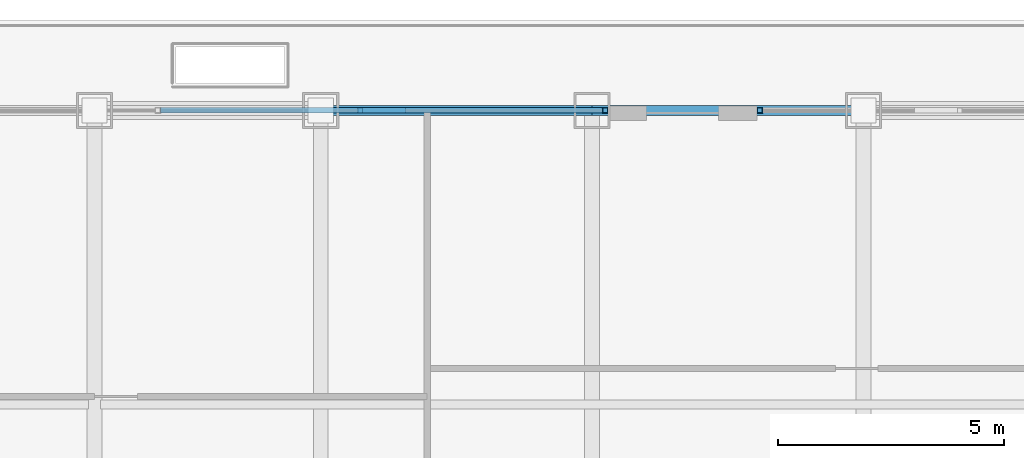
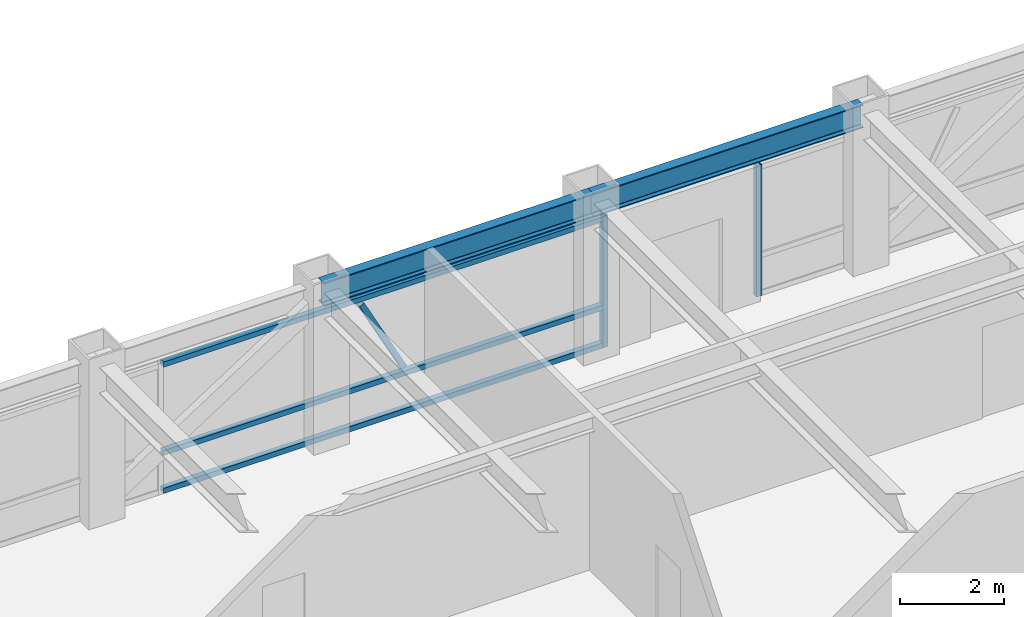
# One storey, part 18 of 30: 6 members, 2 beams, 2 elements without a shape of their own.
"""IFC4 building model written with IfcOpenShell, lengths in metres."""

from ifc_helpers import new_model, si_unit, direction, frame, origin, origin_2d, place, context, subcontext, project, spatial, hollow_rectangle, i_section, extrude, source, transform, mapped, material, material_profile, profile_set, type_object, element, aggregate, save


model = new_model("IFC4")

# Units and contexts
model_context = context("Model", 3, precision=1e-05, world=origin(), true_north=direction((0.0, 1.0)))
body_context = subcontext(model_context, "Body", "Model", "MODEL_VIEW")
ifc_project = project(units=[si_unit("LENGTHUNIT", "METRE"), si_unit("AREAUNIT", "SQUARE_METRE"), si_unit("VOLUMEUNIT", "CUBIC_METRE"), si_unit("PLANEANGLEUNIT", "RADIAN"), si_unit("MASSUNIT", "GRAM", prefix="KILO")], contexts=[model_context])

# Site, building, storey
site_placement = place(None, origin())
site = spatial("IfcSite", under=ifc_project, at=site_placement, CompositionType="ELEMENT")
building_placement = place(site_placement, origin())
building = spatial("IfcBuilding", under=site, at=building_placement, Name="Khorayat Bourse Tower", CompositionType="ELEMENT")
storey_placement = place(building_placement, frame((0.0, 0.0, 326.300048828125)))
storey = spatial("IfcBuildingStorey", under=building, at=storey_placement, Name="L77", CompositionType="ELEMENT", Elevation=326.300048828125)

# Beams
ifc_material_1 = material(Name="Steel ASTM A992 Grade 50", Category="steel")
ifc_material_profile_1 = material_profile(ifc_material_1, i_section(OverallWidth=0.214111328125, OverallDepth=0.549072265625, WebThickness=0.0146484375, FlangeThickness=0.023681640625, FilletRadius=0.013916015625, at=origin_2d()), Name="W530X138")
ifc_profile_set_1 = profile_set([ifc_material_profile_1], Name="Steel ASTM A992 Grade 50")
beam_type = type_object("IfcBeamType", Name="BM-SPAN-530", PredefinedType="SPANDREL", material=ifc_profile_set_1)
shared_shape_1 = source(origin(), body_context, "Body", "SweptSolid", [
    extrude(i_section(OverallWidth=0.214111328125, OverallDepth=0.549072265625, WebThickness=0.0146484375, FlangeThickness=0.023681640625, FilletRadius=0.013916015625, at=origin_2d()), origin(), (0.0, 0.0, 1.0), 6.0),
])
for number, where, z_axis, x_axis, name in (
    (1, (0.0, 26.0, 3.46533203125), (1.0, 0.0, 0.0), (0.0, 1.0, 0.0), "L77 BM-SPAN-530 BM-L77-SPN-042"),
    (2, (-6.0, 26.0, 3.46533203125), (1.0, 0.0, 0.0), (0.0, 1.0, 0.0), "L77 BM-SPAN-530 BM-L77-SPN-043"),
):
    element("IfcBeam", number, at=place(storey_placement, frame(where, z_axis=z_axis, x_axis=x_axis)), inside=storey, type_object=beam_type, Name=name, PredefinedType="SPANDREL", context=body_context, shape_type="MappedRepresentation", body=[
        mapped(shared_shape_1, transform((0.0, 0.0, 0.0), scale=1.0)),
    ])

# Curtain wall, member
ifc_material_2 = material(Name="Aluminium EN AW-6063 T6", Category="aluminium")
curtain_wall_type = type_object("IfcCurtainWallType", Name="CW-SYS-04", PredefinedType="NOTDEFINED", material=ifc_material_2)
curtain_wall_1_placement = place(storey_placement, origin())
curtain_wall_1 = element("IfcCurtainWall", 3, at=curtain_wall_1_placement, inside=storey, type_object=curtain_wall_type, Name="L77 Curtain Wall CW-L77-N1", PredefinedType="NOTDEFINED")
ifc_material_profile_2 = material_profile(ifc_material_2, hollow_rectangle(XDim=0.1201171875, YDim=0.1201171875, WallThickness=0.0048828125, at=origin_2d()), Name="ALU 120x120x5")
ifc_profile_set_2 = profile_set([ifc_material_profile_2], Name="Aluminium EN AW-6063 T6")
member_type_1 = type_object("IfcMemberType", Name="CWM-VERT-120", PredefinedType="MULLION", material=ifc_profile_set_2)
shared_shape_2 = source(origin(), body_context, "Body", "SweptSolid", [
    extrude(hollow_rectangle(XDim=0.1201171875, YDim=0.1201171875, WallThickness=0.0048828125, at=origin_2d()), origin(), (0.0, 0.0, 1.0), 3.08984375),
])
member_1_placement = place(storey_placement, frame((0.2900390625, 26.0, 0.0), z_axis=(0.0, 0.0, 1.0), x_axis=(0.0, 1.0, 0.0)))
member_1 = element("IfcMember", 4, at=member_1_placement, type_object=member_type_1, Name="CW-L77-N1 Vertical Mullion 3", PredefinedType="MULLION", context=body_context, shape_type="MappedRepresentation", body=[
    mapped(shared_shape_2, transform((0.0, 0.0, 0.0), scale=1.0)),
])

curtain_wall_2_placement = place(storey_placement, origin())
curtain_wall_2 = element("IfcCurtainWall", 5, at=curtain_wall_2_placement, inside=storey, type_object=curtain_wall_type, Name="L77 Curtain Wall CW-L77-N2", PredefinedType="NOTDEFINED")
member_2_placement = place(storey_placement, frame((3.7099609375, 26.0, 0.0), z_axis=(0.0, 0.0, 1.0), x_axis=(0.0, 1.0, 0.0)))
member_2 = element("IfcMember", 6, at=member_2_placement, type_object=member_type_1, Name="CW-L77-N2 Vertical Mullion 1", PredefinedType="MULLION", context=body_context, shape_type="MappedRepresentation", body=[
    mapped(shared_shape_2, transform((0.0, 0.0, 0.0), scale=1.0)),
])
aggregate(curtain_wall_2, [member_2])

# Member
ifc_material_profile_3 = material_profile(ifc_material_2, hollow_rectangle(XDim=0.1201171875, YDim=0.1201171875, WallThickness=0.0048828125, at=origin_2d()), Name="ALU 120x120x5")
ifc_profile_set_3 = profile_set([ifc_material_profile_3], Name="Aluminium EN AW-6063 T6")
member_type_2 = type_object("IfcMemberType", Name="CWT-HORZ-120", PredefinedType="USERDEFINED", material=ifc_profile_set_3)
shared_shape_3 = source(origin(), body_context, "Body", "SweptSolid", [
    extrude(hollow_rectangle(XDim=0.1201171875, YDim=0.1201171875, WallThickness=0.0048828125, at=origin_2d()), origin(), (0.0, 0.0, 1.0), 9.77001953125),
])
member_3_placement = place(storey_placement, frame((-9.5400390625, 26.0, 0.06005859375), z_axis=(1.0, 0.0, 0.0), x_axis=(0.0, 1.0, 0.0)))
member_3 = element("IfcMember", 7, at=member_3_placement, type_object=member_type_2, Name="CW-L77-N1 Horizontal Transom 2-1", ObjectType="TRANSOM", PredefinedType="USERDEFINED", context=body_context, shape_type="MappedRepresentation", body=[
    mapped(shared_shape_3, transform((0.0, 0.0, 0.0), scale=1.0)),
])

member_4_placement = place(storey_placement, frame((-9.5400390625, 26.0, 0.949951171875), z_axis=(1.0, 0.0, 0.0), x_axis=(0.0, 1.0, 0.0)))
member_4 = element("IfcMember", 8, at=member_4_placement, type_object=member_type_2, Name="CW-L77-N1 Horizontal Transom 2-2", ObjectType="TRANSOM", PredefinedType="USERDEFINED", context=body_context, shape_type="MappedRepresentation", body=[
    mapped(shared_shape_3, transform((0.0, 0.0, 0.0), scale=1.0)),
])

member_5_placement = place(storey_placement, frame((-9.5400390625, 26.0, 3.030029296875), z_axis=(1.0, 0.0, 0.0), x_axis=(0.0, 1.0, 0.0)))
member_5 = element("IfcMember", 9, at=member_5_placement, type_object=member_type_2, Name="CW-L77-N1 Horizontal Transom 2-3", ObjectType="TRANSOM", PredefinedType="USERDEFINED", context=body_context, shape_type="MappedRepresentation", body=[
    mapped(shared_shape_3, transform((0.0, 0.0, 0.0), scale=1.0)),
])

ifc_material_profile_4 = material_profile(ifc_material_2, hollow_rectangle(XDim=0.1201171875, YDim=0.1201171875, WallThickness=0.0048828125, at=origin_2d()), Name="ALU 120x120x5")
ifc_profile_set_4 = profile_set([ifc_material_profile_4], Name="Aluminium EN AW-6063 T6")
member_type_3 = type_object("IfcMemberType", Name="CWM-DIAG-120", PredefinedType="MULLION", material=ifc_profile_set_4)
shared_shape_4 = source(origin(), body_context, "Body", "SweptSolid", [
    extrude(hollow_rectangle(XDim=0.1201171875, YDim=0.1201171875, WallThickness=0.0048828125, at=origin_2d()), origin(), (0.0, 0.0, 1.0), 2.0341796875),
])
member_6_placement = place(storey_placement, frame((-4.181396484375, 26.0, 1.08984375), z_axis=(-0.465696964104, 0.0, 0.884944256789), x_axis=(0.0, -1.0, 0.0)))
member_6 = element("IfcMember", 10, at=member_6_placement, type_object=member_type_3, Name="CW-L77-N1 Faceted Diagonal Mullion 2", PredefinedType="MULLION", context=body_context, shape_type="MappedRepresentation", body=[
    mapped(shared_shape_4, transform((0.0, 0.0, 0.0), scale=1.0)),
])

aggregate(curtain_wall_1, [member_1, member_3, member_4, member_5, member_6])

save(model, "model.ifc")
